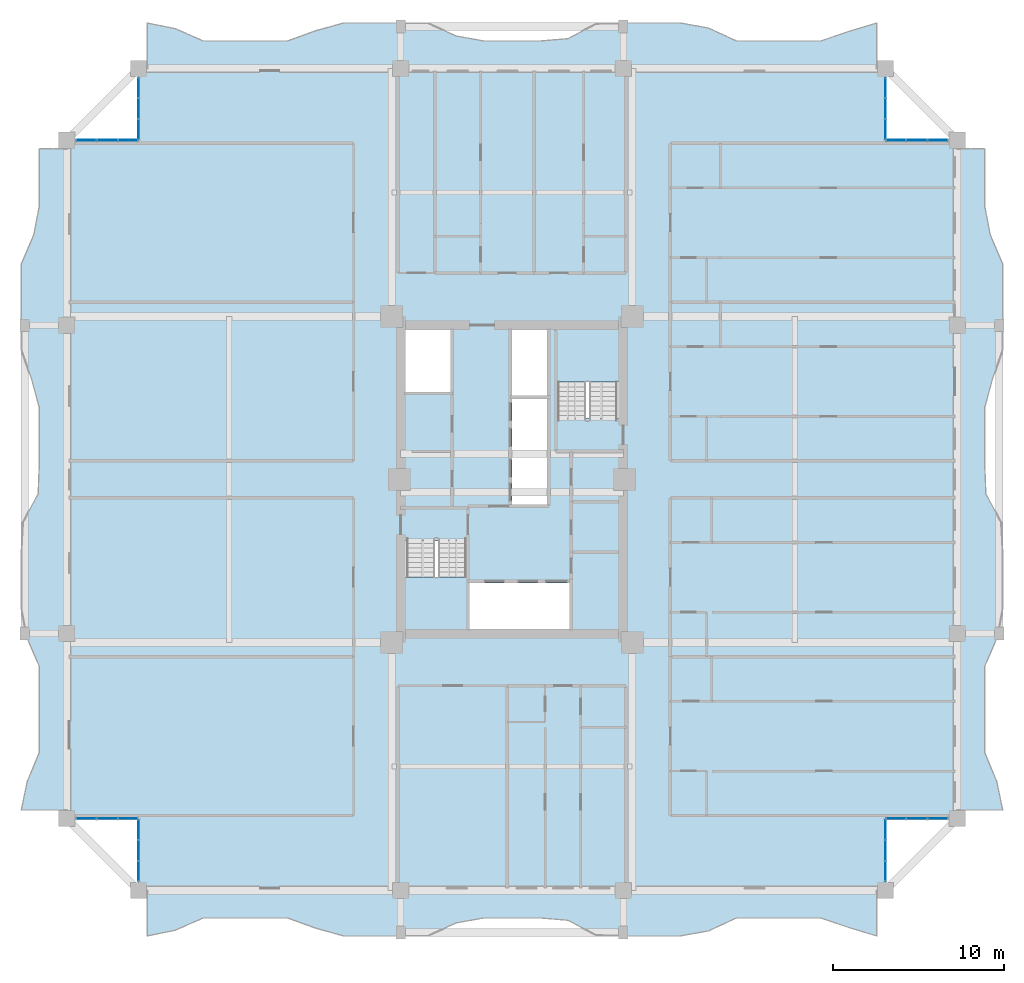
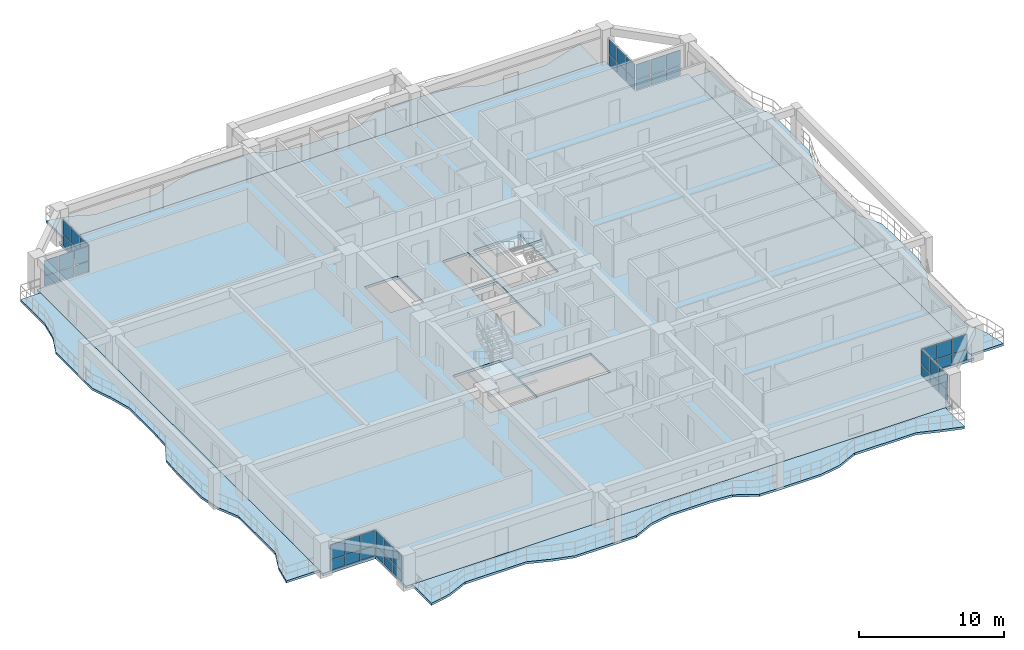
# One storey, part 13 of 24: 48 plates, 7 slabs, 10 elements without a shape of their own.
"""IFC4 building model written with IfcOpenShell, lengths in metres."""

from ifc_helpers import new_model, si_unit, direction, frame, origin, origin_2d, place, context, subcontext, project, spatial, polyline, rectangle, outline, extrude, source, transform, mapped, material, layer, layer_set, type_object, element, aggregate, save


model = new_model("IFC4")

# Units and contexts
model_context = context("Model", 3, precision=1e-05, world=origin(), true_north=direction((0.0, 1.0)))
body_context = subcontext(model_context, "Body", "Model", "MODEL_VIEW")
ifc_project = project(units=[si_unit("LENGTHUNIT", "METRE"), si_unit("AREAUNIT", "SQUARE_METRE"), si_unit("VOLUMEUNIT", "CUBIC_METRE"), si_unit("PLANEANGLEUNIT", "RADIAN"), si_unit("MASSUNIT", "GRAM", prefix="KILO")], contexts=[model_context])

# Site, building, storey
site_placement = place(None, origin())
site = spatial("IfcSite", under=ifc_project, at=site_placement, CompositionType="ELEMENT")
building_placement = place(site_placement, origin())
building = spatial("IfcBuilding", under=site, at=building_placement, Name="Saelheon Loggia Tower", CompositionType="ELEMENT")
storey_placement = place(building_placement, frame((0.0, 0.0, 98.85009765625)))
storey = spatial("IfcBuildingStorey", under=building, at=storey_placement, Name="L31", CompositionType="ELEMENT", Elevation=98.85009765625)

# Slabs
ifc_material_1 = material(Name="Precast Concrete C45/55", Category="concrete")
ifc_layer_1 = layer(ifc_material_1, 0.18994140625)
ifc_layer_set_1 = layer_set([ifc_layer_1], Name="Precast Concrete C45/55")
slab_type_1 = type_object("IfcSlabType", Name="Slab_Loggia_Ext_190", PredefinedType="FLOOR", material=ifc_layer_set_1)
slab_1_placement = place(storey_placement, frame((0.0, 0.0, -0.190185546875)))
element("IfcSlab", 1, at=slab_1_placement, inside=storey, type_object=slab_type_1, Name="L31 Loggia Balcony Slab S", PredefinedType="FLOOR", context=body_context, shape_type="SweptSolid", body=[
    extrude(outline(polyline([(16.699951171875, 0.35009765625), (18.33837890625, 0.680908203125), (19.976806640625, 1.39990234375), (21.615478515625, 1.39990234375), (23.25390625, 1.39990234375), (24.892333984375, 1.39990234375), (26.53076171875, 0.80615234375), (28.169189453125, 0.35009765625), (29.8076171875, 0.35009765625), (31.4462890625, 0.35009765625), (33.084716796875, 0.35009765625), (34.72314453125, 1.105712890625), (36.361572265625, 1.39990234375), (38.0, 1.39990234375), (39.638427734375, 1.39990234375), (41.27685546875, 1.263671875), (42.915283203125, 0.388916015625), (44.5537109375, 0.35009765625), (46.1923828125, 0.35009765625), (47.830810546875, 0.35009765625), (49.46923828125, 0.643798828125), (51.107666015625, 1.39990234375), (52.74609375, 1.39990234375), (54.384521484375, 1.39990234375), (56.023193359375, 1.39990234375), (57.66162109375, 0.84375), (59.300048828125, 0.35009765625), (59.300048828125, 3.0), (16.699951171875, 3.0), (16.699951171875, 0.35009765625)])), origin(), (0.0, 0.0, 1.0), 0.190185546875),
])
slab_2_placement = place(storey_placement, frame((0.0, 0.0, -0.190185546875)))
element("IfcSlab", 2, at=slab_2_placement, inside=storey, type_object=slab_type_1, Name="L31 Loggia Balcony Slab N", PredefinedType="FLOOR", context=body_context, shape_type="SweptSolid", body=[
    extrude(outline(polyline([(16.699951171875, 51.0), (59.300048828125, 51.0), (59.300048828125, 53.64990234375), (57.66162109375, 53.15625), (56.023193359375, 52.60009765625), (54.384521484375, 52.60009765625), (52.74609375, 52.60009765625), (51.107666015625, 52.60009765625), (49.46923828125, 53.356201171875), (47.830810546875, 53.64990234375), (46.1923828125, 53.64990234375), (44.5537109375, 53.64990234375), (42.915283203125, 53.611083984375), (41.27685546875, 52.736328125), (39.638427734375, 52.60009765625), (38.0, 52.60009765625), (36.361572265625, 52.60009765625), (34.72314453125, 52.894287109375), (33.084716796875, 53.64990234375), (31.4462890625, 53.64990234375), (29.8076171875, 53.64990234375), (28.169189453125, 53.64990234375), (26.53076171875, 53.19384765625), (24.892333984375, 52.60009765625), (23.25390625, 52.60009765625), (21.615478515625, 52.60009765625), (19.976806640625, 52.60009765625), (18.33837890625, 53.319091796875), (16.699951171875, 53.64990234375), (16.699951171875, 51.0)])), origin(), (0.0, 0.0, 1.0), 0.190185546875),
])
slab_3_placement = place(storey_placement, frame((0.0, 0.0, -0.190185546875)))
element("IfcSlab", 3, at=slab_3_placement, inside=storey, type_object=slab_type_1, Name="L31 Loggia Balcony Slab E", PredefinedType="FLOOR", context=body_context, shape_type="SweptSolid", body=[
    extrude(outline(polyline([(64.0, 7.699951171875), (66.64990234375, 7.699951171875), (66.297607421875, 9.37841796875), (65.60009765625, 11.056396484375), (65.60009765625, 12.73486328125), (65.60009765625, 14.4130859375), (65.60009765625, 16.09130859375), (66.3232421875, 17.76953125), (66.64990234375, 19.44775390625), (66.64990234375, 21.126220703125), (66.64990234375, 22.80419921875), (66.560546875, 24.482666015625), (65.665771484375, 26.160888671875), (65.60009765625, 27.839111328125), (65.60009765625, 29.517333984375), (65.60009765625, 31.19580078125), (66.05419921875, 32.873779296875), (66.64990234375, 34.55224609375), (66.64990234375, 36.23046875), (66.64990234375, 37.90869140625), (66.64990234375, 39.5869140625), (65.92529296875, 41.26513671875), (65.60009765625, 42.943603515625), (65.60009765625, 44.62158203125), (65.60009765625, 46.300048828125), (64.0, 46.300048828125), (64.0, 7.699951171875)])), origin(), (0.0, 0.0, 1.0), 0.190185546875),
])
slab_4_placement = place(storey_placement, frame((0.0, 0.0, -0.190185546875)))
element("IfcSlab", 4, at=slab_4_placement, inside=storey, type_object=slab_type_1, Name="L31 Loggia Balcony Slab W", PredefinedType="FLOOR", context=body_context, shape_type="SweptSolid", body=[
    extrude(outline(polyline([(12.0, 7.699951171875), (12.0, 46.300048828125), (10.39990234375, 46.300048828125), (10.39990234375, 44.62158203125), (10.39990234375, 42.943603515625), (10.07470703125, 41.26513671875), (9.35009765625, 39.5869140625), (9.35009765625, 37.90869140625), (9.35009765625, 36.23046875), (9.35009765625, 34.55224609375), (9.94580078125, 32.873779296875), (10.39990234375, 31.19580078125), (10.39990234375, 29.517333984375), (10.39990234375, 27.839111328125), (10.334228515625, 26.160888671875), (9.439453125, 24.482666015625), (9.35009765625, 22.80419921875), (9.35009765625, 21.126220703125), (9.35009765625, 19.44775390625), (9.6767578125, 17.76953125), (10.39990234375, 16.09130859375), (10.39990234375, 14.4130859375), (10.39990234375, 12.73486328125), (10.39990234375, 11.056396484375), (9.702392578125, 9.37841796875), (9.35009765625, 7.699951171875), (12.0, 7.699951171875)])), origin(), (0.0, 0.0, 1.0), 0.190185546875),
])

# Stair, slab
ifc_material_2 = material(Name="Concrete C40/50", Category="concrete")
stair_type = type_object("IfcStairType", Name="Stair_Escape_Core", PredefinedType="HALF_TURN_STAIR", material=ifc_material_2)
stair_1_placement = place(storey_placement, origin())
stair_1 = element("IfcStair", 5, at=stair_1_placement, inside=storey, type_object=stair_type, Name="L31 Special Escape Stair ST1", PredefinedType="HALF_TURN_STAIR")
ifc_layer_2 = layer(ifc_material_2, 0.199951171875)
ifc_layer_set_2 = layer_set([ifc_layer_2], Name="Concrete C40/50")
slab_type_2 = type_object("IfcSlabType", Name="Slab_StairLanding_ST1", PredefinedType="LANDING", material=ifc_layer_set_2)
slab_5_placement = place(storey_placement, frame((0.0, 0.0, 1.2998046875)))
slab_5 = element("IfcSlab", 6, at=slab_5_placement, type_object=slab_type_2, Name="ST1 landing 1", PredefinedType="LANDING", context=body_context, shape_type="SweptSolid", body=[
    extrude(outline(polyline([(31.7099609375, 21.31005859375), (31.7099609375, 18.2099609375), (35.469970703125, 18.2099609375), (35.469970703125, 21.31005859375), (31.7099609375, 21.31005859375)])), origin(), (0.0, 0.0, 1.0), 0.2001953125),
])
aggregate(stair_1, [slab_5])

stair_2_placement = place(storey_placement, origin())
stair_2 = element("IfcStair", 7, at=stair_2_placement, inside=storey, type_object=stair_type, Name="L31 Special Escape Stair ST2", PredefinedType="HALF_TURN_STAIR")
ifc_layer_3 = layer(ifc_material_2, 0.199951171875)
ifc_layer_set_3 = layer_set([ifc_layer_3], Name="Concrete C40/50")
slab_type_3 = type_object("IfcSlabType", Name="Slab_StairLanding_ST2", PredefinedType="LANDING", material=ifc_layer_set_3)
slab_6_placement = place(storey_placement, frame((0.0, 0.0, 1.2998046875)))
slab_6 = element("IfcSlab", 8, at=slab_6_placement, type_object=slab_type_3, Name="ST2 landing 1", PredefinedType="LANDING", context=body_context, shape_type="SweptSolid", body=[
    extrude(outline(polyline([(44.2900390625, 32.68994140625), (44.2900390625, 35.7900390625), (40.530029296875, 35.7900390625), (40.530029296875, 32.68994140625), (44.2900390625, 32.68994140625)])), origin(), (0.0, 0.0, 1.0), 0.2001953125),
])
aggregate(stair_2, [slab_6])

# Slab
ifc_layer_4 = layer(ifc_material_2, 0.2099609375)
ifc_layer_set_4 = layer_set([ifc_layer_4], Name="Concrete C40/50")
slab_type_4 = type_object("IfcSlabType", Name="Slab_Tower_210", PredefinedType="FLOOR", material=ifc_layer_set_4)
slab_7_placement = place(storey_placement, frame((0.0, 0.0, -0.210205078125)))
element("IfcSlab", 9, at=slab_7_placement, inside=storey, type_object=slab_type_4, Name="L31 Tower Floor Slab", PredefinedType="FLOOR", context=body_context, shape_type="SweptSolid", body=[
    extrude(outline(polyline([(16.199951171875, 3.0), (59.800048828125, 3.0), (59.800048828125, 7.199951171875), (64.0, 7.199951171875), (64.0, 46.800048828125), (59.800048828125, 46.800048828125), (59.800048828125, 51.0), (16.199951171875, 51.0), (16.199951171875, 46.800048828125), (12.0, 46.800048828125), (12.0, 7.199951171875), (16.199951171875, 7.199951171875), (16.199951171875, 3.0)]), holes=[polyline([(31.699951171875, 23.409912109375), (31.699951171875, 18.199951171875), (35.47998046875, 18.199951171875), (35.47998046875, 23.409912109375), (31.699951171875, 23.409912109375)]), polyline([(44.300048828125, 30.590087890625), (44.300048828125, 35.800048828125), (40.52001953125, 35.800048828125), (40.52001953125, 30.590087890625), (44.300048828125, 30.590087890625)]), polyline([(35.530029296875, 18.27490234375), (41.35009765625, 18.27490234375), (41.35009765625, 20.9599609375), (35.530029296875, 20.9599609375), (35.530029296875, 18.27490234375)]), polyline([(31.77490234375, 32.1201171875), (34.419921875, 32.1201171875), (34.419921875, 35.72509765625), (31.77490234375, 35.72509765625), (31.77490234375, 32.1201171875)]), polyline([(38.0, 31.89990234375), (40.050048828125, 31.89990234375), (40.050048828125, 35.72509765625), (38.0, 35.72509765625), (38.0, 31.89990234375)]), polyline([(38.0, 25.5400390625), (40.050048828125, 25.5400390625), (40.050048828125, 31.699951171875), (38.0, 31.699951171875), (38.0, 25.5400390625)])]), origin(), (0.0, 0.0, 1.0), 0.210205078125),
])

# Curtain wall, plates
ifc_material_3 = material(Name="Thermal-Break Aluminium and Triple Low-E Glass", Category="aluminium")
ifc_layer_5 = layer(ifc_material_3, 0.159912109375)
ifc_layer_set_5 = layer_set([ifc_layer_5], Name="Thermal-Break Aluminium and Triple Low-E Glass")
curtain_wall_type = type_object("IfcCurtainWallType", Name="CW_TowerLoggiaLow", PredefinedType="NOTDEFINED", material=ifc_layer_set_5)
curtain_wall_1_placement = place(storey_placement, origin())
curtain_wall_1 = element("IfcCurtainWall", 10, at=curtain_wall_1_placement, inside=storey, type_object=curtain_wall_type, Name="L31 Corner Notch Glazing SW1", PredefinedType="NOTDEFINED")
ifc_material_4 = material(Name="Triple Low-E Laminated Glazing", Category="glass")
ifc_layer_6 = layer(ifc_material_4, 0.0419921875)
ifc_layer_set_6 = layer_set([ifc_layer_6], Name="Triple Low-E Laminated Glazing")
plate_type = type_object("IfcPlateType", Name="CW_TowerLoggiaLow_Panel", PredefinedType="CURTAIN_PANEL", material=ifc_layer_set_6)
shared_shape_1 = source(origin(), body_context, "Body", "SweptSolid", [
    extrude(rectangle(XDim=1.130859375, YDim=0.0419921875, at=origin_2d()), origin(), (0.0, 0.0, 1.0), 0.8525390625),
])
plate_1_placement = place(storey_placement, frame((16.199951171875, 4.1455078125, 0.06494140625), z_axis=(0.0, 0.0, 1.0), x_axis=(0.0, 1.0, 0.0)))
plate_1 = element("IfcPlate", 11, at=plate_1_placement, type_object=plate_type, Name="CW3 panel 1.1", PredefinedType="CURTAIN_PANEL", context=body_context, shape_type="MappedRepresentation", body=[
    mapped(shared_shape_1, transform((0.0, 0.0, 0.0), scale=1.0)),
])
plate_2_placement = place(storey_placement, frame((16.199951171875, 6.569580078125, 0.06494140625), z_axis=(0.0, 0.0, 1.0), x_axis=(0.0, 1.0, 0.0)))
plate_2 = element("IfcPlate", 12, at=plate_2_placement, type_object=plate_type, Name="CW3 panel 3.1", PredefinedType="CURTAIN_PANEL", context=body_context, shape_type="MappedRepresentation", body=[
    mapped(shared_shape_1, transform((0.0, 0.0, 0.0), scale=1.0)),
])

curtain_wall_2_placement = place(storey_placement, origin())
curtain_wall_2 = element("IfcCurtainWall", 13, at=curtain_wall_2_placement, inside=storey, type_object=curtain_wall_type, Name="L31 Corner Notch Glazing SW2", PredefinedType="NOTDEFINED")
plate_3_placement = place(storey_placement, frame((13.1455078125, 7.199951171875, 0.06494140625), z_axis=(0.0, 0.0, 1.0), x_axis=(1.0, 0.0, 0.0)))
plate_3 = element("IfcPlate", 14, at=plate_3_placement, type_object=plate_type, Name="CW3 panel 1.1", PredefinedType="CURTAIN_PANEL", context=body_context, shape_type="MappedRepresentation", body=[
    mapped(shared_shape_1, transform((0.0, 0.0, 0.0), scale=1.0)),
])
plate_4_placement = place(storey_placement, frame((15.569580078125, 7.199951171875, 0.06494140625), z_axis=(0.0, 0.0, 1.0), x_axis=(1.0, 0.0, 0.0)))
plate_4 = element("IfcPlate", 15, at=plate_4_placement, type_object=plate_type, Name="CW3 panel 3.1", PredefinedType="CURTAIN_PANEL", context=body_context, shape_type="MappedRepresentation", body=[
    mapped(shared_shape_1, transform((0.0, 0.0, 0.0), scale=1.0)),
])

curtain_wall_3_placement = place(storey_placement, origin())
curtain_wall_3 = element("IfcCurtainWall", 16, at=curtain_wall_3_placement, inside=storey, type_object=curtain_wall_type, Name="L31 Corner Notch Glazing SE1", PredefinedType="NOTDEFINED")
plate_5_placement = place(storey_placement, frame((59.800048828125, 4.1455078125, 0.06494140625), z_axis=(0.0, 0.0, 1.0), x_axis=(0.0, 1.0, 0.0)))
plate_5 = element("IfcPlate", 17, at=plate_5_placement, type_object=plate_type, Name="CW3 panel 1.1", PredefinedType="CURTAIN_PANEL", context=body_context, shape_type="MappedRepresentation", body=[
    mapped(shared_shape_1, transform((0.0, 0.0, 0.0), scale=1.0)),
])
plate_6_placement = place(storey_placement, frame((59.800048828125, 6.569580078125, 0.06494140625), z_axis=(0.0, 0.0, 1.0), x_axis=(0.0, 1.0, 0.0)))
plate_6 = element("IfcPlate", 18, at=plate_6_placement, type_object=plate_type, Name="CW3 panel 3.1", PredefinedType="CURTAIN_PANEL", context=body_context, shape_type="MappedRepresentation", body=[
    mapped(shared_shape_1, transform((0.0, 0.0, 0.0), scale=1.0)),
])

curtain_wall_4_placement = place(storey_placement, origin())
curtain_wall_4 = element("IfcCurtainWall", 19, at=curtain_wall_4_placement, inside=storey, type_object=curtain_wall_type, Name="L31 Corner Notch Glazing SE2", PredefinedType="NOTDEFINED")
plate_7_placement = place(storey_placement, frame((60.430419921875, 7.199951171875, 0.06494140625), z_axis=(0.0, 0.0, 1.0), x_axis=(1.0, 0.0, 0.0)))
plate_7 = element("IfcPlate", 20, at=plate_7_placement, type_object=plate_type, Name="CW3 panel 1.1", PredefinedType="CURTAIN_PANEL", context=body_context, shape_type="MappedRepresentation", body=[
    mapped(shared_shape_1, transform((0.0, 0.0, 0.0), scale=1.0)),
])
plate_8_placement = place(storey_placement, frame((62.8544921875, 7.199951171875, 0.06494140625), z_axis=(0.0, 0.0, 1.0), x_axis=(1.0, 0.0, 0.0)))
plate_8 = element("IfcPlate", 21, at=plate_8_placement, type_object=plate_type, Name="CW3 panel 3.1", PredefinedType="CURTAIN_PANEL", context=body_context, shape_type="MappedRepresentation", body=[
    mapped(shared_shape_1, transform((0.0, 0.0, 0.0), scale=1.0)),
])

curtain_wall_5_placement = place(storey_placement, origin())
curtain_wall_5 = element("IfcCurtainWall", 22, at=curtain_wall_5_placement, inside=storey, type_object=curtain_wall_type, Name="L31 Corner Notch Glazing NW1", PredefinedType="NOTDEFINED")
plate_9_placement = place(storey_placement, frame((16.199951171875, 47.430419921875, 0.06494140625), z_axis=(0.0, 0.0, 1.0), x_axis=(0.0, 1.0, 0.0)))
plate_9 = element("IfcPlate", 23, at=plate_9_placement, type_object=plate_type, Name="CW3 panel 1.1", PredefinedType="CURTAIN_PANEL", context=body_context, shape_type="MappedRepresentation", body=[
    mapped(shared_shape_1, transform((0.0, 0.0, 0.0), scale=1.0)),
])
plate_10_placement = place(storey_placement, frame((16.199951171875, 49.8544921875, 0.06494140625), z_axis=(0.0, 0.0, 1.0), x_axis=(0.0, 1.0, 0.0)))
plate_10 = element("IfcPlate", 24, at=plate_10_placement, type_object=plate_type, Name="CW3 panel 3.1", PredefinedType="CURTAIN_PANEL", context=body_context, shape_type="MappedRepresentation", body=[
    mapped(shared_shape_1, transform((0.0, 0.0, 0.0), scale=1.0)),
])

curtain_wall_6_placement = place(storey_placement, origin())
curtain_wall_6 = element("IfcCurtainWall", 25, at=curtain_wall_6_placement, inside=storey, type_object=curtain_wall_type, Name="L31 Corner Notch Glazing NW2", PredefinedType="NOTDEFINED")
plate_11_placement = place(storey_placement, frame((13.1455078125, 46.800048828125, 0.06494140625), z_axis=(0.0, 0.0, 1.0), x_axis=(1.0, 0.0, 0.0)))
plate_11 = element("IfcPlate", 26, at=plate_11_placement, type_object=plate_type, Name="CW3 panel 1.1", PredefinedType="CURTAIN_PANEL", context=body_context, shape_type="MappedRepresentation", body=[
    mapped(shared_shape_1, transform((0.0, 0.0, 0.0), scale=1.0)),
])
plate_12_placement = place(storey_placement, frame((15.569580078125, 46.800048828125, 0.06494140625), z_axis=(0.0, 0.0, 1.0), x_axis=(1.0, 0.0, 0.0)))
plate_12 = element("IfcPlate", 27, at=plate_12_placement, type_object=plate_type, Name="CW3 panel 3.1", PredefinedType="CURTAIN_PANEL", context=body_context, shape_type="MappedRepresentation", body=[
    mapped(shared_shape_1, transform((0.0, 0.0, 0.0), scale=1.0)),
])

curtain_wall_7_placement = place(storey_placement, origin())
curtain_wall_7 = element("IfcCurtainWall", 28, at=curtain_wall_7_placement, inside=storey, type_object=curtain_wall_type, Name="L31 Corner Notch Glazing NE1", PredefinedType="NOTDEFINED")
plate_13_placement = place(storey_placement, frame((59.800048828125, 47.430419921875, 0.06494140625), z_axis=(0.0, 0.0, 1.0), x_axis=(0.0, 1.0, 0.0)))
plate_13 = element("IfcPlate", 29, at=plate_13_placement, type_object=plate_type, Name="CW3 panel 1.1", PredefinedType="CURTAIN_PANEL", context=body_context, shape_type="MappedRepresentation", body=[
    mapped(shared_shape_1, transform((0.0, 0.0, 0.0), scale=1.0)),
])
plate_14_placement = place(storey_placement, frame((59.800048828125, 49.8544921875, 0.06494140625), z_axis=(0.0, 0.0, 1.0), x_axis=(0.0, 1.0, 0.0)))
plate_14 = element("IfcPlate", 30, at=plate_14_placement, type_object=plate_type, Name="CW3 panel 3.1", PredefinedType="CURTAIN_PANEL", context=body_context, shape_type="MappedRepresentation", body=[
    mapped(shared_shape_1, transform((0.0, 0.0, 0.0), scale=1.0)),
])

curtain_wall_8_placement = place(storey_placement, origin())
curtain_wall_8 = element("IfcCurtainWall", 31, at=curtain_wall_8_placement, inside=storey, type_object=curtain_wall_type, Name="L31 Corner Notch Glazing NE2", PredefinedType="NOTDEFINED")
plate_15_placement = place(storey_placement, frame((60.430419921875, 46.800048828125, 0.06494140625), z_axis=(0.0, 0.0, 1.0), x_axis=(1.0, 0.0, 0.0)))
plate_15 = element("IfcPlate", 32, at=plate_15_placement, type_object=plate_type, Name="CW3 panel 1.1", PredefinedType="CURTAIN_PANEL", context=body_context, shape_type="MappedRepresentation", body=[
    mapped(shared_shape_1, transform((0.0, 0.0, 0.0), scale=1.0)),
])
plate_16_placement = place(storey_placement, frame((62.8544921875, 46.800048828125, 0.06494140625), z_axis=(0.0, 0.0, 1.0), x_axis=(1.0, 0.0, 0.0)))
plate_16 = element("IfcPlate", 33, at=plate_16_placement, type_object=plate_type, Name="CW3 panel 3.1", PredefinedType="CURTAIN_PANEL", context=body_context, shape_type="MappedRepresentation", body=[
    mapped(shared_shape_1, transform((0.0, 0.0, 0.0), scale=1.0)),
])

# Plate
shared_shape_2 = source(origin(), body_context, "Body", "SweptSolid", [
    extrude(rectangle(XDim=1.130859375, YDim=0.0419921875, at=origin_2d()), origin(), (0.0, 0.0, 1.0), 1.232421875),
])
plate_17_placement = place(storey_placement, frame((16.199951171875, 4.1455078125, 0.982421875), z_axis=(0.0, 0.0, 1.0), x_axis=(0.0, 1.0, 0.0)))
plate_17 = element("IfcPlate", 34, at=plate_17_placement, type_object=plate_type, Name="CW3 panel 1.2", PredefinedType="CURTAIN_PANEL", context=body_context, shape_type="MappedRepresentation", body=[
    mapped(shared_shape_2, transform((0.0, 0.0, 0.0), scale=1.0)),
])

plate_18_placement = place(storey_placement, frame((16.199951171875, 6.569580078125, 0.982421875), z_axis=(0.0, 0.0, 1.0), x_axis=(0.0, 1.0, 0.0)))
plate_18 = element("IfcPlate", 35, at=plate_18_placement, type_object=plate_type, Name="CW3 panel 3.2", PredefinedType="CURTAIN_PANEL", context=body_context, shape_type="MappedRepresentation", body=[
    mapped(shared_shape_2, transform((0.0, 0.0, 0.0), scale=1.0)),
])

plate_19_placement = place(storey_placement, frame((13.1455078125, 7.199951171875, 0.982421875), z_axis=(0.0, 0.0, 1.0), x_axis=(1.0, 0.0, 0.0)))
plate_19 = element("IfcPlate", 36, at=plate_19_placement, type_object=plate_type, Name="CW3 panel 1.2", PredefinedType="CURTAIN_PANEL", context=body_context, shape_type="MappedRepresentation", body=[
    mapped(shared_shape_2, transform((0.0, 0.0, 0.0), scale=1.0)),
])

plate_20_placement = place(storey_placement, frame((15.569580078125, 7.199951171875, 0.982421875), z_axis=(0.0, 0.0, 1.0), x_axis=(1.0, 0.0, 0.0)))
plate_20 = element("IfcPlate", 37, at=plate_20_placement, type_object=plate_type, Name="CW3 panel 3.2", PredefinedType="CURTAIN_PANEL", context=body_context, shape_type="MappedRepresentation", body=[
    mapped(shared_shape_2, transform((0.0, 0.0, 0.0), scale=1.0)),
])

plate_21_placement = place(storey_placement, frame((59.800048828125, 4.1455078125, 0.982421875), z_axis=(0.0, 0.0, 1.0), x_axis=(0.0, 1.0, 0.0)))
plate_21 = element("IfcPlate", 38, at=plate_21_placement, type_object=plate_type, Name="CW3 panel 1.2", PredefinedType="CURTAIN_PANEL", context=body_context, shape_type="MappedRepresentation", body=[
    mapped(shared_shape_2, transform((0.0, 0.0, 0.0), scale=1.0)),
])

plate_22_placement = place(storey_placement, frame((59.800048828125, 6.569580078125, 0.982421875), z_axis=(0.0, 0.0, 1.0), x_axis=(0.0, 1.0, 0.0)))
plate_22 = element("IfcPlate", 39, at=plate_22_placement, type_object=plate_type, Name="CW3 panel 3.2", PredefinedType="CURTAIN_PANEL", context=body_context, shape_type="MappedRepresentation", body=[
    mapped(shared_shape_2, transform((0.0, 0.0, 0.0), scale=1.0)),
])

plate_23_placement = place(storey_placement, frame((60.430419921875, 7.199951171875, 0.982421875), z_axis=(0.0, 0.0, 1.0), x_axis=(1.0, 0.0, 0.0)))
plate_23 = element("IfcPlate", 40, at=plate_23_placement, type_object=plate_type, Name="CW3 panel 1.2", PredefinedType="CURTAIN_PANEL", context=body_context, shape_type="MappedRepresentation", body=[
    mapped(shared_shape_2, transform((0.0, 0.0, 0.0), scale=1.0)),
])

plate_24_placement = place(storey_placement, frame((62.8544921875, 7.199951171875, 0.982421875), z_axis=(0.0, 0.0, 1.0), x_axis=(1.0, 0.0, 0.0)))
plate_24 = element("IfcPlate", 41, at=plate_24_placement, type_object=plate_type, Name="CW3 panel 3.2", PredefinedType="CURTAIN_PANEL", context=body_context, shape_type="MappedRepresentation", body=[
    mapped(shared_shape_2, transform((0.0, 0.0, 0.0), scale=1.0)),
])

plate_25_placement = place(storey_placement, frame((16.199951171875, 47.430419921875, 0.982421875), z_axis=(0.0, 0.0, 1.0), x_axis=(0.0, 1.0, 0.0)))
plate_25 = element("IfcPlate", 42, at=plate_25_placement, type_object=plate_type, Name="CW3 panel 1.2", PredefinedType="CURTAIN_PANEL", context=body_context, shape_type="MappedRepresentation", body=[
    mapped(shared_shape_2, transform((0.0, 0.0, 0.0), scale=1.0)),
])

plate_26_placement = place(storey_placement, frame((16.199951171875, 49.8544921875, 0.982421875), z_axis=(0.0, 0.0, 1.0), x_axis=(0.0, 1.0, 0.0)))
plate_26 = element("IfcPlate", 43, at=plate_26_placement, type_object=plate_type, Name="CW3 panel 3.2", PredefinedType="CURTAIN_PANEL", context=body_context, shape_type="MappedRepresentation", body=[
    mapped(shared_shape_2, transform((0.0, 0.0, 0.0), scale=1.0)),
])

plate_27_placement = place(storey_placement, frame((13.1455078125, 46.800048828125, 0.982421875), z_axis=(0.0, 0.0, 1.0), x_axis=(1.0, 0.0, 0.0)))
plate_27 = element("IfcPlate", 44, at=plate_27_placement, type_object=plate_type, Name="CW3 panel 1.2", PredefinedType="CURTAIN_PANEL", context=body_context, shape_type="MappedRepresentation", body=[
    mapped(shared_shape_2, transform((0.0, 0.0, 0.0), scale=1.0)),
])

plate_28_placement = place(storey_placement, frame((15.569580078125, 46.800048828125, 0.982421875), z_axis=(0.0, 0.0, 1.0), x_axis=(1.0, 0.0, 0.0)))
plate_28 = element("IfcPlate", 45, at=plate_28_placement, type_object=plate_type, Name="CW3 panel 3.2", PredefinedType="CURTAIN_PANEL", context=body_context, shape_type="MappedRepresentation", body=[
    mapped(shared_shape_2, transform((0.0, 0.0, 0.0), scale=1.0)),
])

plate_29_placement = place(storey_placement, frame((59.800048828125, 47.430419921875, 0.982421875), z_axis=(0.0, 0.0, 1.0), x_axis=(0.0, 1.0, 0.0)))
plate_29 = element("IfcPlate", 46, at=plate_29_placement, type_object=plate_type, Name="CW3 panel 1.2", PredefinedType="CURTAIN_PANEL", context=body_context, shape_type="MappedRepresentation", body=[
    mapped(shared_shape_2, transform((0.0, 0.0, 0.0), scale=1.0)),
])

plate_30_placement = place(storey_placement, frame((59.800048828125, 49.8544921875, 0.982421875), z_axis=(0.0, 0.0, 1.0), x_axis=(0.0, 1.0, 0.0)))
plate_30 = element("IfcPlate", 47, at=plate_30_placement, type_object=plate_type, Name="CW3 panel 3.2", PredefinedType="CURTAIN_PANEL", context=body_context, shape_type="MappedRepresentation", body=[
    mapped(shared_shape_2, transform((0.0, 0.0, 0.0), scale=1.0)),
])

plate_31_placement = place(storey_placement, frame((60.430419921875, 46.800048828125, 0.982421875), z_axis=(0.0, 0.0, 1.0), x_axis=(1.0, 0.0, 0.0)))
plate_31 = element("IfcPlate", 48, at=plate_31_placement, type_object=plate_type, Name="CW3 panel 1.2", PredefinedType="CURTAIN_PANEL", context=body_context, shape_type="MappedRepresentation", body=[
    mapped(shared_shape_2, transform((0.0, 0.0, 0.0), scale=1.0)),
])

plate_32_placement = place(storey_placement, frame((62.8544921875, 46.800048828125, 0.982421875), z_axis=(0.0, 0.0, 1.0), x_axis=(1.0, 0.0, 0.0)))
plate_32 = element("IfcPlate", 49, at=plate_32_placement, type_object=plate_type, Name="CW3 panel 3.2", PredefinedType="CURTAIN_PANEL", context=body_context, shape_type="MappedRepresentation", body=[
    mapped(shared_shape_2, transform((0.0, 0.0, 0.0), scale=1.0)),
])

shared_shape_3 = source(origin(), body_context, "Body", "SweptSolid", [
    extrude(rectangle(XDim=1.163330078125, YDim=0.0419921875, at=origin_2d()), origin(), (0.0, 0.0, 1.0), 0.8525390625),
])
plate_33_placement = place(storey_placement, frame((16.199951171875, 5.357421875, 0.06494140625), z_axis=(0.0, 0.0, 1.0), x_axis=(0.0, 1.0, 0.0)))
plate_33 = element("IfcPlate", 50, at=plate_33_placement, type_object=plate_type, Name="CW3 panel 2.1", PredefinedType="CURTAIN_PANEL", context=body_context, shape_type="MappedRepresentation", body=[
    mapped(shared_shape_3, transform((0.0, 0.0, 0.0), scale=1.0)),
])

plate_34_placement = place(storey_placement, frame((14.357421875, 7.199951171875, 0.06494140625), z_axis=(0.0, 0.0, 1.0), x_axis=(1.0, 0.0, 0.0)))
plate_34 = element("IfcPlate", 51, at=plate_34_placement, type_object=plate_type, Name="CW3 panel 2.1", PredefinedType="CURTAIN_PANEL", context=body_context, shape_type="MappedRepresentation", body=[
    mapped(shared_shape_3, transform((0.0, 0.0, 0.0), scale=1.0)),
])

plate_35_placement = place(storey_placement, frame((59.800048828125, 5.357421875, 0.06494140625), z_axis=(0.0, 0.0, 1.0), x_axis=(0.0, 1.0, 0.0)))
plate_35 = element("IfcPlate", 52, at=plate_35_placement, type_object=plate_type, Name="CW3 panel 2.1", PredefinedType="CURTAIN_PANEL", context=body_context, shape_type="MappedRepresentation", body=[
    mapped(shared_shape_3, transform((0.0, 0.0, 0.0), scale=1.0)),
])

plate_36_placement = place(storey_placement, frame((61.642578125, 7.199951171875, 0.06494140625), z_axis=(0.0, 0.0, 1.0), x_axis=(1.0, 0.0, 0.0)))
plate_36 = element("IfcPlate", 53, at=plate_36_placement, type_object=plate_type, Name="CW3 panel 2.1", PredefinedType="CURTAIN_PANEL", context=body_context, shape_type="MappedRepresentation", body=[
    mapped(shared_shape_3, transform((0.0, 0.0, 0.0), scale=1.0)),
])

plate_37_placement = place(storey_placement, frame((16.199951171875, 48.642578125, 0.06494140625), z_axis=(0.0, 0.0, 1.0), x_axis=(0.0, 1.0, 0.0)))
plate_37 = element("IfcPlate", 54, at=plate_37_placement, type_object=plate_type, Name="CW3 panel 2.1", PredefinedType="CURTAIN_PANEL", context=body_context, shape_type="MappedRepresentation", body=[
    mapped(shared_shape_3, transform((0.0, 0.0, 0.0), scale=1.0)),
])

plate_38_placement = place(storey_placement, frame((14.357421875, 46.800048828125, 0.06494140625), z_axis=(0.0, 0.0, 1.0), x_axis=(1.0, 0.0, 0.0)))
plate_38 = element("IfcPlate", 55, at=plate_38_placement, type_object=plate_type, Name="CW3 panel 2.1", PredefinedType="CURTAIN_PANEL", context=body_context, shape_type="MappedRepresentation", body=[
    mapped(shared_shape_3, transform((0.0, 0.0, 0.0), scale=1.0)),
])

plate_39_placement = place(storey_placement, frame((59.800048828125, 48.642578125, 0.06494140625), z_axis=(0.0, 0.0, 1.0), x_axis=(0.0, 1.0, 0.0)))
plate_39 = element("IfcPlate", 56, at=plate_39_placement, type_object=plate_type, Name="CW3 panel 2.1", PredefinedType="CURTAIN_PANEL", context=body_context, shape_type="MappedRepresentation", body=[
    mapped(shared_shape_3, transform((0.0, 0.0, 0.0), scale=1.0)),
])

plate_40_placement = place(storey_placement, frame((61.642578125, 46.800048828125, 0.06494140625), z_axis=(0.0, 0.0, 1.0), x_axis=(1.0, 0.0, 0.0)))
plate_40 = element("IfcPlate", 57, at=plate_40_placement, type_object=plate_type, Name="CW3 panel 2.1", PredefinedType="CURTAIN_PANEL", context=body_context, shape_type="MappedRepresentation", body=[
    mapped(shared_shape_3, transform((0.0, 0.0, 0.0), scale=1.0)),
])

shared_shape_4 = source(origin(), body_context, "Body", "SweptSolid", [
    extrude(rectangle(XDim=1.163330078125, YDim=0.0419921875, at=origin_2d()), origin(), (0.0, 0.0, 1.0), 1.232421875),
])
plate_41_placement = place(storey_placement, frame((16.199951171875, 5.357421875, 0.982421875), z_axis=(0.0, 0.0, 1.0), x_axis=(0.0, 1.0, 0.0)))
plate_41 = element("IfcPlate", 58, at=plate_41_placement, type_object=plate_type, Name="CW3 panel 2.2", PredefinedType="CURTAIN_PANEL", context=body_context, shape_type="MappedRepresentation", body=[
    mapped(shared_shape_4, transform((0.0, 0.0, 0.0), scale=1.0)),
])

aggregate(curtain_wall_1, [plate_1, plate_17, plate_33, plate_41, plate_2, plate_18])

plate_42_placement = place(storey_placement, frame((14.357421875, 7.199951171875, 0.982421875), z_axis=(0.0, 0.0, 1.0), x_axis=(1.0, 0.0, 0.0)))
plate_42 = element("IfcPlate", 59, at=plate_42_placement, type_object=plate_type, Name="CW3 panel 2.2", PredefinedType="CURTAIN_PANEL", context=body_context, shape_type="MappedRepresentation", body=[
    mapped(shared_shape_4, transform((0.0, 0.0, 0.0), scale=1.0)),
])

aggregate(curtain_wall_2, [plate_3, plate_19, plate_34, plate_42, plate_4, plate_20])

plate_43_placement = place(storey_placement, frame((59.800048828125, 5.357421875, 0.982421875), z_axis=(0.0, 0.0, 1.0), x_axis=(0.0, 1.0, 0.0)))
plate_43 = element("IfcPlate", 60, at=plate_43_placement, type_object=plate_type, Name="CW3 panel 2.2", PredefinedType="CURTAIN_PANEL", context=body_context, shape_type="MappedRepresentation", body=[
    mapped(shared_shape_4, transform((0.0, 0.0, 0.0), scale=1.0)),
])

aggregate(curtain_wall_3, [plate_5, plate_21, plate_35, plate_43, plate_6, plate_22])

plate_44_placement = place(storey_placement, frame((61.642578125, 7.199951171875, 0.982421875), z_axis=(0.0, 0.0, 1.0), x_axis=(1.0, 0.0, 0.0)))
plate_44 = element("IfcPlate", 61, at=plate_44_placement, type_object=plate_type, Name="CW3 panel 2.2", PredefinedType="CURTAIN_PANEL", context=body_context, shape_type="MappedRepresentation", body=[
    mapped(shared_shape_4, transform((0.0, 0.0, 0.0), scale=1.0)),
])

aggregate(curtain_wall_4, [plate_7, plate_23, plate_36, plate_44, plate_8, plate_24])

plate_45_placement = place(storey_placement, frame((16.199951171875, 48.642578125, 0.982421875), z_axis=(0.0, 0.0, 1.0), x_axis=(0.0, 1.0, 0.0)))
plate_45 = element("IfcPlate", 62, at=plate_45_placement, type_object=plate_type, Name="CW3 panel 2.2", PredefinedType="CURTAIN_PANEL", context=body_context, shape_type="MappedRepresentation", body=[
    mapped(shared_shape_4, transform((0.0, 0.0, 0.0), scale=1.0)),
])

aggregate(curtain_wall_5, [plate_9, plate_25, plate_37, plate_45, plate_10, plate_26])

plate_46_placement = place(storey_placement, frame((14.357421875, 46.800048828125, 0.982421875), z_axis=(0.0, 0.0, 1.0), x_axis=(1.0, 0.0, 0.0)))
plate_46 = element("IfcPlate", 63, at=plate_46_placement, type_object=plate_type, Name="CW3 panel 2.2", PredefinedType="CURTAIN_PANEL", context=body_context, shape_type="MappedRepresentation", body=[
    mapped(shared_shape_4, transform((0.0, 0.0, 0.0), scale=1.0)),
])

aggregate(curtain_wall_6, [plate_11, plate_27, plate_38, plate_46, plate_12, plate_28])

plate_47_placement = place(storey_placement, frame((59.800048828125, 48.642578125, 0.982421875), z_axis=(0.0, 0.0, 1.0), x_axis=(0.0, 1.0, 0.0)))
plate_47 = element("IfcPlate", 64, at=plate_47_placement, type_object=plate_type, Name="CW3 panel 2.2", PredefinedType="CURTAIN_PANEL", context=body_context, shape_type="MappedRepresentation", body=[
    mapped(shared_shape_4, transform((0.0, 0.0, 0.0), scale=1.0)),
])

aggregate(curtain_wall_7, [plate_13, plate_29, plate_39, plate_47, plate_14, plate_30])

plate_48_placement = place(storey_placement, frame((61.642578125, 46.800048828125, 0.982421875), z_axis=(0.0, 0.0, 1.0), x_axis=(1.0, 0.0, 0.0)))
plate_48 = element("IfcPlate", 65, at=plate_48_placement, type_object=plate_type, Name="CW3 panel 2.2", PredefinedType="CURTAIN_PANEL", context=body_context, shape_type="MappedRepresentation", body=[
    mapped(shared_shape_4, transform((0.0, 0.0, 0.0), scale=1.0)),
])

aggregate(curtain_wall_8, [plate_15, plate_31, plate_40, plate_48, plate_16, plate_32])

save(model, "model.ifc")
